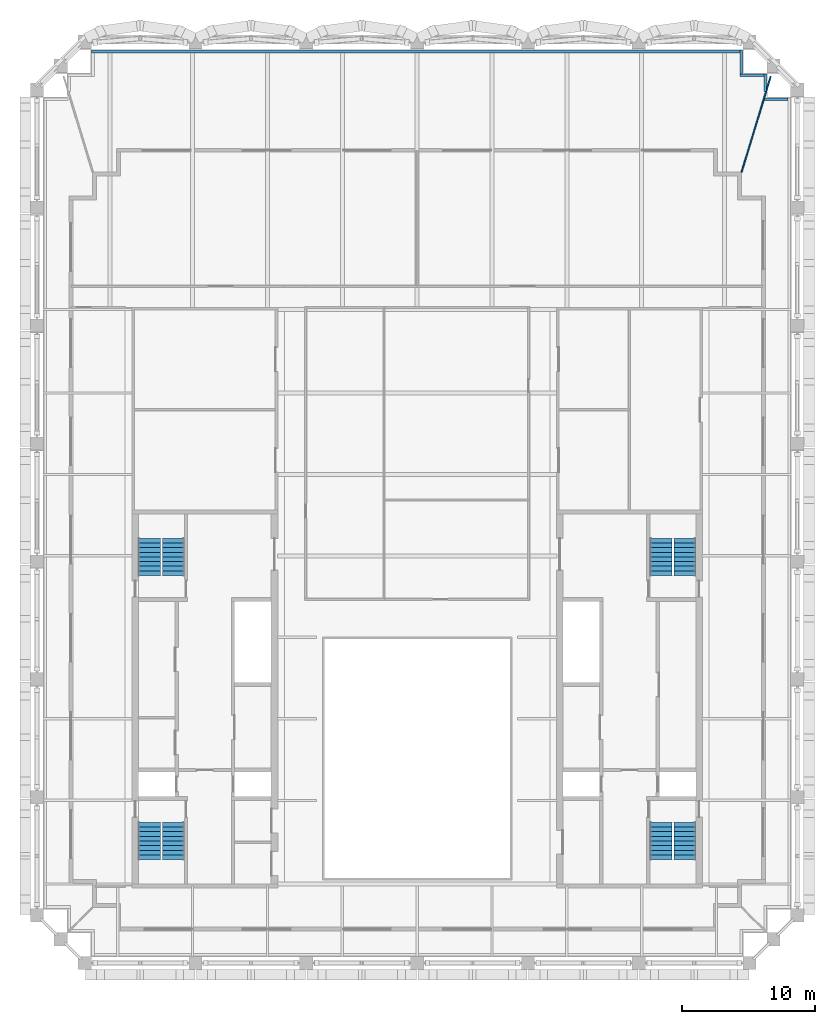
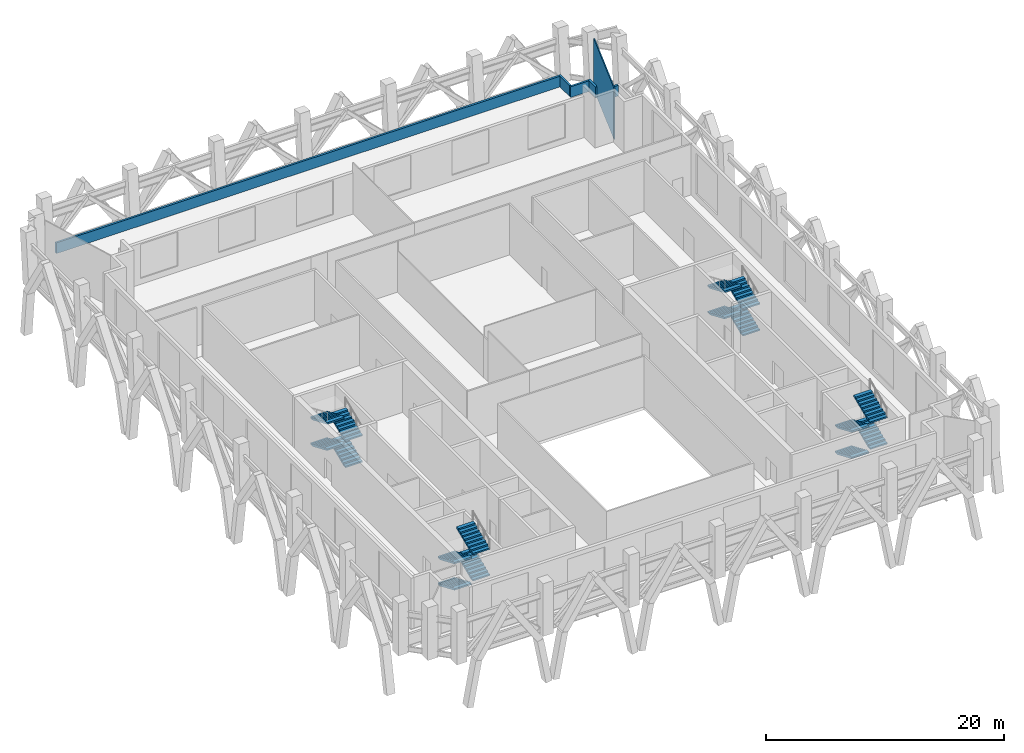
# One storey, part 8 of 13: 16 stair flights, 6 walls, 4 elements without a shape of their own.
"""IFC4 building model written with IfcOpenShell, lengths in metres."""

from ifc_helpers import new_model, si_unit, direction, frame, frame_2d, origin, place, context, subcontext, project, spatial, polyline, rectangle, outline, extrude, material, layer, layer_set, type_object, element, aggregate, save


model = new_model("IFC4")

# Units and contexts
model_context = context("Model", 3, precision=1e-05, world=origin(), true_north=direction((0.0, 1.0)))
body_context = subcontext(model_context, "Body", "Model", "MODEL_VIEW")
ifc_project = project(units=[si_unit("LENGTHUNIT", "METRE"), si_unit("AREAUNIT", "SQUARE_METRE"), si_unit("VOLUMEUNIT", "CUBIC_METRE"), si_unit("PLANEANGLEUNIT", "RADIAN"), si_unit("MASSUNIT", "GRAM", prefix="KILO")], contexts=[model_context])

# Site, building, storey
site_placement = place(None, origin())
site = spatial("IfcSite", under=ifc_project, at=site_placement, CompositionType="ELEMENT")
building_placement = place(site_placement, origin())
building = spatial("IfcBuilding", under=site, at=building_placement, Name="Ogive Exchange Tower", CompositionType="ELEMENT")
storey_placement = place(building_placement, frame((0.0, 0.0, 363.60009765625)))
storey = spatial("IfcBuildingStorey", under=building, at=storey_placement, Name="L80", CompositionType="ELEMENT", Elevation=363.60009765625)

# Walls
ifc_material_1 = material(Name="Laminated safety glass in steel frame", Category="steel")
ifc_layer_1 = layer(ifc_material_1, 0.10009765625)
ifc_layer_set_1 = layer_set([ifc_layer_1], Name="Loggia end screen 100")
wall_type_1 = type_object("IfcWallType", Name="Loggia end screen 100", PredefinedType="STANDARD", material=ifc_layer_set_1)
wall_1_placement = place(storey_placement, frame((24.449951171875, 51.199951171875, -0.050048828125), z_axis=(0.0, 0.0, 1.0), x_axis=(0.290383107351, 0.956910471761, 0.0)))
element("IfcWall", 1, at=wall_1_placement, inside=storey, type_object=wall_type_1, Name="Loggia end screen C2", PredefinedType="STANDARD", context=body_context, shape_type="SweptSolid", body=[
    extrude(rectangle(XDim=7.5380859375, YDim=0.10009765625, at=frame_2d((3.76904296875, 0.0))), origin(), (0.0, 0.0, 1.0), 5.25),
])
ifc_material_2 = material(Name="Precast concrete C40/50", Category="concrete")
ifc_layer_2 = layer(ifc_material_2, 0.199951171875)
ifc_layer_set_2 = layer_set([ifc_layer_2], Name="Plant deck parapet 200")
wall_type_2 = type_object("IfcWallType", Name="Plant deck parapet 200", PredefinedType="STANDARD", material=ifc_layer_set_2)
wall_2_placement = place(storey_placement, frame((27.929931640625, 56.689208984375, -0.050048828125), z_axis=(0.0, 0.0, 1.0), x_axis=(-1.0, 0.0, 0.0)))
element("IfcWall", 2, at=wall_2_placement, inside=storey, type_object=wall_type_2, Name="Plant deck parapet 7", PredefinedType="STANDARD", context=body_context, shape_type="SweptSolid", body=[
    extrude(rectangle(XDim=1.746337890625, YDim=0.199951171875, at=frame_2d((0.873046875, 0.0))), origin(), (0.0, 0.0, 1.0), 1.099853515625),
])
wall_3_placement = place(storey_placement, frame((26.22998046875, 57.289794921875, -0.050048828125), z_axis=(0.0, 0.0, 1.0), x_axis=(0.0, 1.0, 0.0)))
element("IfcWall", 3, at=wall_3_placement, inside=storey, type_object=wall_type_2, Name="Plant deck parapet 8", PredefinedType="STANDARD", context=body_context, shape_type="SweptSolid", body=[
    extrude(rectangle(XDim=1.29931640625, YDim=0.199951171875, at=frame_2d((0.649658203125, 0.0))), origin(), (0.0, 0.0, 1.0), 1.099853515625),
])
wall_4_placement = place(storey_placement, frame((26.1298828125, 58.489013671875, -0.050048828125), z_axis=(0.0, 0.0, 1.0), x_axis=(-1.0, 0.0, 0.0)))
element("IfcWall", 4, at=wall_4_placement, inside=storey, type_object=wall_type_2, Name="Plant deck parapet 9", PredefinedType="STANDARD", context=body_context, shape_type="SweptSolid", body=[
    extrude(rectangle(XDim=1.7998046875, YDim=0.199951171875, at=frame_2d((0.89990234375, 0.0))), origin(), (0.0, 0.0, 1.0), 1.099853515625),
])
wall_5_placement = place(storey_placement, frame((24.429931640625, 58.589111328125, -0.050048828125), z_axis=(0.0, 0.0, 1.0), x_axis=(0.0, 1.0, 0.0)))
element("IfcWall", 5, at=wall_5_placement, inside=storey, type_object=wall_type_2, Name="Plant deck parapet 10", PredefinedType="STANDARD", context=body_context, shape_type="SweptSolid", body=[
    extrude(rectangle(XDim=1.800048828125, YDim=0.199951171875, at=frame_2d((0.89990234375, 0.0))), origin(), (0.0, 0.0, 1.0), 1.099853515625),
])
wall_6_placement = place(storey_placement, frame((24.330078125, 60.2890625, -0.050048828125), z_axis=(0.0, 0.0, 1.0), x_axis=(-1.0, 0.0, 0.0)))
element("IfcWall", 6, at=wall_6_placement, inside=storey, type_object=wall_type_2, Name="Plant deck parapet 11", PredefinedType="STANDARD", context=body_context, shape_type="SweptSolid", body=[
    extrude(rectangle(XDim=48.860107421875, YDim=0.199951171875, at=frame_2d((24.43017578125, 0.0))), origin(), (0.0, 0.0, 1.0), 1.099853515625),
])

# Stair, stair flights
ifc_material_3 = material(Name="Concrete C40/50", Category="concrete")
stair_type = type_object("IfcStairType", Name="Exit stair 1650 wide", PredefinedType="HALF_TURN_STAIR", material=ifc_material_3)
stair_1_placement = place(storey_placement, origin())
stair_1 = element("IfcStair", 7, at=stair_1_placement, inside=storey, type_object=stair_type, Name="L80 exit stair ST1", PredefinedType="HALF_TURN_STAIR")
stair_flight_type = type_object("IfcStairFlightType", Name="Stair flight 1650 wide", PredefinedType="STRAIGHT", material=ifc_material_3)
stair_flight_1_placement = place(storey_placement, frame((-20.175048828125, 2.199951171875, 0.0), z_axis=(0.0, 0.0, 1.0), x_axis=(0.0, -1.0, 0.0)))
stair_flight_1 = element("IfcStairFlight", 8, at=stair_flight_1_placement, type_object=stair_flight_type, Name="ST1 flight 1", NumberOfRisers=9, NumberOfTreads=8, PredefinedType="STRAIGHT", RiserHeight=0.15, TreadLength=0.351, context=body_context, shape_type="SweptSolid", body=[
    extrude(outline(polyline([(0.0, 0.0), (0.0, 0.14990234375), (0.35107421875, 0.14990234375), (0.35107421875, 0.300048828125), (0.701904296875, 0.300048828125), (0.701904296875, 0.449951171875), (1.052978515625, 0.449951171875), (1.052978515625, 0.60009765625), (1.404052734375, 0.60009765625), (1.404052734375, 0.75), (1.7548828125, 0.75), (1.7548828125, 0.89990234375), (2.10595703125, 0.89990234375), (2.10595703125, 1.050048828125), (2.45703125, 1.050048828125), (2.45703125, 1.199951171875), (2.80810546875, 1.199951171875), (2.80810546875, 1.35009765625), (2.80810546875, 1.036865234375), (0.38134765625, 0.0), (0.0, 0.0)])), frame((0.0, 0.824951171875, 0.0), z_axis=(0.0, -1.0, 0.0), x_axis=(1.0, 0.0, 0.0)), (0.0, 0.0, 1.0), 1.64990234375),
])
stair_flight_2_placement = place(storey_placement, frame((-18.375, -0.60791015625, 1.349853515625), z_axis=(0.0, 0.0, 1.0), x_axis=(0.0, 1.0, 0.0)))
stair_flight_2 = element("IfcStairFlight", 9, at=stair_flight_2_placement, type_object=stair_flight_type, Name="ST1 flight 2", NumberOfRisers=9, NumberOfTreads=8, PredefinedType="STRAIGHT", RiserHeight=0.15, TreadLength=0.351, context=body_context, shape_type="SweptSolid", body=[
    extrude(outline(polyline([(0.0, 0.0), (0.0, 0.14990234375), (0.35107421875, 0.14990234375), (0.35107421875, 0.300048828125), (0.701904296875, 0.300048828125), (0.701904296875, 0.449951171875), (1.052978515625, 0.449951171875), (1.052978515625, 0.60009765625), (1.404052734375, 0.60009765625), (1.404052734375, 0.75), (1.7548828125, 0.75), (1.7548828125, 0.89990234375), (2.10595703125, 0.89990234375), (2.10595703125, 1.050048828125), (2.45703125, 1.050048828125), (2.45703125, 1.199951171875), (2.80810546875, 1.199951171875), (2.80810546875, 1.35009765625), (2.80810546875, 1.036865234375), (0.38134765625, 0.0), (0.0, 0.0)])), frame((0.0, 0.824951171875, 0.0), z_axis=(0.0, -1.0, 0.0), x_axis=(1.0, 0.0, 0.0)), (0.0, 0.0, 1.0), 1.64990234375),
])
stair_flight_3_placement = place(storey_placement, frame((-20.175048828125, 2.199951171875, 2.699951171875), z_axis=(0.0, 0.0, 1.0), x_axis=(0.0, -1.0, 0.0)))
stair_flight_3 = element("IfcStairFlight", 10, at=stair_flight_3_placement, type_object=stair_flight_type, Name="ST1 flight 3", NumberOfRisers=9, NumberOfTreads=8, PredefinedType="STRAIGHT", RiserHeight=0.15, TreadLength=0.351, context=body_context, shape_type="SweptSolid", body=[
    extrude(outline(polyline([(0.0, 0.0), (0.0, 0.14990234375), (0.35107421875, 0.14990234375), (0.35107421875, 0.300048828125), (0.701904296875, 0.300048828125), (0.701904296875, 0.449951171875), (1.052978515625, 0.449951171875), (1.052978515625, 0.60009765625), (1.404052734375, 0.60009765625), (1.404052734375, 0.75), (1.7548828125, 0.75), (1.7548828125, 0.89990234375), (2.10595703125, 0.89990234375), (2.10595703125, 1.050048828125), (2.45703125, 1.050048828125), (2.45703125, 1.199951171875), (2.80810546875, 1.199951171875), (2.80810546875, 1.35009765625), (2.80810546875, 1.036865234375), (0.38134765625, 0.0), (0.0, 0.0)])), frame((0.0, 0.824951171875, 0.0), z_axis=(0.0, -1.0, 0.0), x_axis=(1.0, 0.0, 0.0)), (0.0, 0.0, 1.0), 1.64990234375),
])
stair_flight_4_placement = place(storey_placement, frame((-18.375, -0.60791015625, 4.0498046875), z_axis=(0.0, 0.0, 1.0), x_axis=(0.0, 1.0, 0.0)))
stair_flight_4 = element("IfcStairFlight", 11, at=stair_flight_4_placement, type_object=stair_flight_type, Name="ST1 flight 4", NumberOfRisers=9, NumberOfTreads=8, PredefinedType="STRAIGHT", RiserHeight=0.15, TreadLength=0.351, context=body_context, shape_type="SweptSolid", body=[
    extrude(outline(polyline([(0.0, 0.0), (0.0, 0.14990234375), (0.35107421875, 0.14990234375), (0.35107421875, 0.300048828125), (0.701904296875, 0.300048828125), (0.701904296875, 0.449951171875), (1.052978515625, 0.449951171875), (1.052978515625, 0.60009765625), (1.404052734375, 0.60009765625), (1.404052734375, 0.75), (1.7548828125, 0.75), (1.7548828125, 0.89990234375), (2.10595703125, 0.89990234375), (2.10595703125, 1.050048828125), (2.45703125, 1.050048828125), (2.45703125, 1.199951171875), (2.80810546875, 1.199951171875), (2.80810546875, 1.35009765625), (2.80810546875, 1.036865234375), (0.38134765625, 0.0), (0.0, 0.0)])), frame((0.0, 0.824951171875, 0.0), z_axis=(0.0, -1.0, 0.0), x_axis=(1.0, 0.0, 0.0)), (0.0, 0.0, 1.0), 1.64990234375),
])
aggregate(stair_1, [stair_flight_1, stair_flight_2, stair_flight_3, stair_flight_4])

stair_2_placement = place(storey_placement, origin())
stair_2 = element("IfcStair", 12, at=stair_2_placement, inside=storey, type_object=stair_type, Name="L80 exit stair ST2", PredefinedType="HALF_TURN_STAIR")
stair_flight_5_placement = place(storey_placement, frame((-18.375, 20.800048828125, 0.0), z_axis=(0.0, 0.0, 1.0), x_axis=(0.0, 1.0, 0.0)))
stair_flight_5 = element("IfcStairFlight", 13, at=stair_flight_5_placement, type_object=stair_flight_type, Name="ST2 flight 1", NumberOfRisers=9, NumberOfTreads=8, PredefinedType="STRAIGHT", RiserHeight=0.15, TreadLength=0.351, context=body_context, shape_type="SweptSolid", body=[
    extrude(outline(polyline([(0.0, 0.0), (0.0, 0.14990234375), (0.35107421875, 0.14990234375), (0.35107421875, 0.300048828125), (0.701904296875, 0.300048828125), (0.701904296875, 0.449951171875), (1.052978515625, 0.449951171875), (1.052978515625, 0.60009765625), (1.404052734375, 0.60009765625), (1.404052734375, 0.75), (1.7548828125, 0.75), (1.7548828125, 0.89990234375), (2.10595703125, 0.89990234375), (2.10595703125, 1.050048828125), (2.45703125, 1.050048828125), (2.45703125, 1.199951171875), (2.80810546875, 1.199951171875), (2.80810546875, 1.35009765625), (2.80810546875, 1.036865234375), (0.38134765625, 0.0), (0.0, 0.0)])), frame((0.0, 0.824951171875, 0.0), z_axis=(0.0, -1.0, 0.0), x_axis=(1.0, 0.0, 0.0)), (0.0, 0.0, 1.0), 1.64990234375),
])
stair_flight_6_placement = place(storey_placement, frame((-20.175048828125, 23.60791015625, 1.349853515625), z_axis=(0.0, 0.0, 1.0), x_axis=(0.0, -1.0, 0.0)))
stair_flight_6 = element("IfcStairFlight", 14, at=stair_flight_6_placement, type_object=stair_flight_type, Name="ST2 flight 2", NumberOfRisers=9, NumberOfTreads=8, PredefinedType="STRAIGHT", RiserHeight=0.15, TreadLength=0.351, context=body_context, shape_type="SweptSolid", body=[
    extrude(outline(polyline([(0.0, 0.0), (0.0, 0.14990234375), (0.35107421875, 0.14990234375), (0.35107421875, 0.300048828125), (0.701904296875, 0.300048828125), (0.701904296875, 0.449951171875), (1.052978515625, 0.449951171875), (1.052978515625, 0.60009765625), (1.404052734375, 0.60009765625), (1.404052734375, 0.75), (1.7548828125, 0.75), (1.7548828125, 0.89990234375), (2.10595703125, 0.89990234375), (2.10595703125, 1.050048828125), (2.45703125, 1.050048828125), (2.45703125, 1.199951171875), (2.80810546875, 1.199951171875), (2.80810546875, 1.35009765625), (2.80810546875, 1.036865234375), (0.38134765625, 0.0), (0.0, 0.0)])), frame((0.0, 0.824951171875, 0.0), z_axis=(0.0, -1.0, 0.0), x_axis=(1.0, 0.0, 0.0)), (0.0, 0.0, 1.0), 1.64990234375),
])
stair_flight_7_placement = place(storey_placement, frame((-18.375, 20.800048828125, 2.699951171875), z_axis=(0.0, 0.0, 1.0), x_axis=(0.0, 1.0, 0.0)))
stair_flight_7 = element("IfcStairFlight", 15, at=stair_flight_7_placement, type_object=stair_flight_type, Name="ST2 flight 3", NumberOfRisers=9, NumberOfTreads=8, PredefinedType="STRAIGHT", RiserHeight=0.15, TreadLength=0.351, context=body_context, shape_type="SweptSolid", body=[
    extrude(outline(polyline([(0.0, 0.0), (0.0, 0.14990234375), (0.35107421875, 0.14990234375), (0.35107421875, 0.300048828125), (0.701904296875, 0.300048828125), (0.701904296875, 0.449951171875), (1.052978515625, 0.449951171875), (1.052978515625, 0.60009765625), (1.404052734375, 0.60009765625), (1.404052734375, 0.75), (1.7548828125, 0.75), (1.7548828125, 0.89990234375), (2.10595703125, 0.89990234375), (2.10595703125, 1.050048828125), (2.45703125, 1.050048828125), (2.45703125, 1.199951171875), (2.80810546875, 1.199951171875), (2.80810546875, 1.35009765625), (2.80810546875, 1.036865234375), (0.38134765625, 0.0), (0.0, 0.0)])), frame((0.0, 0.824951171875, 0.0), z_axis=(0.0, -1.0, 0.0), x_axis=(1.0, 0.0, 0.0)), (0.0, 0.0, 1.0), 1.64990234375),
])
stair_flight_8_placement = place(storey_placement, frame((-20.175048828125, 23.60791015625, 4.0498046875), z_axis=(0.0, 0.0, 1.0), x_axis=(0.0, -1.0, 0.0)))
stair_flight_8 = element("IfcStairFlight", 16, at=stair_flight_8_placement, type_object=stair_flight_type, Name="ST2 flight 4", NumberOfRisers=9, NumberOfTreads=8, PredefinedType="STRAIGHT", RiserHeight=0.15, TreadLength=0.351, context=body_context, shape_type="SweptSolid", body=[
    extrude(outline(polyline([(0.0, 0.0), (0.0, 0.14990234375), (0.35107421875, 0.14990234375), (0.35107421875, 0.300048828125), (0.701904296875, 0.300048828125), (0.701904296875, 0.449951171875), (1.052978515625, 0.449951171875), (1.052978515625, 0.60009765625), (1.404052734375, 0.60009765625), (1.404052734375, 0.75), (1.7548828125, 0.75), (1.7548828125, 0.89990234375), (2.10595703125, 0.89990234375), (2.10595703125, 1.050048828125), (2.45703125, 1.050048828125), (2.45703125, 1.199951171875), (2.80810546875, 1.199951171875), (2.80810546875, 1.35009765625), (2.80810546875, 1.036865234375), (0.38134765625, 0.0), (0.0, 0.0)])), frame((0.0, 0.824951171875, 0.0), z_axis=(0.0, -1.0, 0.0), x_axis=(1.0, 0.0, 0.0)), (0.0, 0.0, 1.0), 1.64990234375),
])
aggregate(stair_2, [stair_flight_5, stair_flight_6, stair_flight_7, stair_flight_8])

stair_3_placement = place(storey_placement, origin())
stair_3 = element("IfcStair", 17, at=stair_3_placement, inside=storey, type_object=stair_type, Name="L80 exit stair ST3", PredefinedType="HALF_TURN_STAIR")
stair_flight_9_placement = place(storey_placement, frame((18.375, 2.199951171875, 0.0), z_axis=(0.0, 0.0, 1.0), x_axis=(0.0, -1.0, 0.0)))
stair_flight_9 = element("IfcStairFlight", 18, at=stair_flight_9_placement, type_object=stair_flight_type, Name="ST3 flight 1", NumberOfRisers=9, NumberOfTreads=8, PredefinedType="STRAIGHT", RiserHeight=0.15, TreadLength=0.351, context=body_context, shape_type="SweptSolid", body=[
    extrude(outline(polyline([(0.0, 0.0), (0.0, 0.14990234375), (0.35107421875, 0.14990234375), (0.35107421875, 0.300048828125), (0.701904296875, 0.300048828125), (0.701904296875, 0.449951171875), (1.052978515625, 0.449951171875), (1.052978515625, 0.60009765625), (1.404052734375, 0.60009765625), (1.404052734375, 0.75), (1.7548828125, 0.75), (1.7548828125, 0.89990234375), (2.10595703125, 0.89990234375), (2.10595703125, 1.050048828125), (2.45703125, 1.050048828125), (2.45703125, 1.199951171875), (2.80810546875, 1.199951171875), (2.80810546875, 1.35009765625), (2.80810546875, 1.036865234375), (0.38134765625, 0.0), (0.0, 0.0)])), frame((0.0, 0.824951171875, 0.0), z_axis=(0.0, -1.0, 0.0), x_axis=(1.0, 0.0, 0.0)), (0.0, 0.0, 1.0), 1.64990234375),
])
stair_flight_10_placement = place(storey_placement, frame((20.175048828125, -0.60791015625, 1.349853515625), z_axis=(0.0, 0.0, 1.0), x_axis=(0.0, 1.0, 0.0)))
stair_flight_10 = element("IfcStairFlight", 19, at=stair_flight_10_placement, type_object=stair_flight_type, Name="ST3 flight 2", NumberOfRisers=9, NumberOfTreads=8, PredefinedType="STRAIGHT", RiserHeight=0.15, TreadLength=0.351, context=body_context, shape_type="SweptSolid", body=[
    extrude(outline(polyline([(0.0, 0.0), (0.0, 0.14990234375), (0.35107421875, 0.14990234375), (0.35107421875, 0.300048828125), (0.701904296875, 0.300048828125), (0.701904296875, 0.449951171875), (1.052978515625, 0.449951171875), (1.052978515625, 0.60009765625), (1.404052734375, 0.60009765625), (1.404052734375, 0.75), (1.7548828125, 0.75), (1.7548828125, 0.89990234375), (2.10595703125, 0.89990234375), (2.10595703125, 1.050048828125), (2.45703125, 1.050048828125), (2.45703125, 1.199951171875), (2.80810546875, 1.199951171875), (2.80810546875, 1.35009765625), (2.80810546875, 1.036865234375), (0.38134765625, 0.0), (0.0, 0.0)])), frame((0.0, 0.824951171875, 0.0), z_axis=(0.0, -1.0, 0.0), x_axis=(1.0, 0.0, 0.0)), (0.0, 0.0, 1.0), 1.64990234375),
])
stair_flight_11_placement = place(storey_placement, frame((18.375, 2.199951171875, 2.699951171875), z_axis=(0.0, 0.0, 1.0), x_axis=(0.0, -1.0, 0.0)))
stair_flight_11 = element("IfcStairFlight", 20, at=stair_flight_11_placement, type_object=stair_flight_type, Name="ST3 flight 3", NumberOfRisers=9, NumberOfTreads=8, PredefinedType="STRAIGHT", RiserHeight=0.15, TreadLength=0.351, context=body_context, shape_type="SweptSolid", body=[
    extrude(outline(polyline([(0.0, 0.0), (0.0, 0.14990234375), (0.35107421875, 0.14990234375), (0.35107421875, 0.300048828125), (0.701904296875, 0.300048828125), (0.701904296875, 0.449951171875), (1.052978515625, 0.449951171875), (1.052978515625, 0.60009765625), (1.404052734375, 0.60009765625), (1.404052734375, 0.75), (1.7548828125, 0.75), (1.7548828125, 0.89990234375), (2.10595703125, 0.89990234375), (2.10595703125, 1.050048828125), (2.45703125, 1.050048828125), (2.45703125, 1.199951171875), (2.80810546875, 1.199951171875), (2.80810546875, 1.35009765625), (2.80810546875, 1.036865234375), (0.38134765625, 0.0), (0.0, 0.0)])), frame((0.0, 0.824951171875, 0.0), z_axis=(0.0, -1.0, 0.0), x_axis=(1.0, 0.0, 0.0)), (0.0, 0.0, 1.0), 1.64990234375),
])
stair_flight_12_placement = place(storey_placement, frame((20.175048828125, -0.60791015625, 4.0498046875), z_axis=(0.0, 0.0, 1.0), x_axis=(0.0, 1.0, 0.0)))
stair_flight_12 = element("IfcStairFlight", 21, at=stair_flight_12_placement, type_object=stair_flight_type, Name="ST3 flight 4", NumberOfRisers=9, NumberOfTreads=8, PredefinedType="STRAIGHT", RiserHeight=0.15, TreadLength=0.351, context=body_context, shape_type="SweptSolid", body=[
    extrude(outline(polyline([(0.0, 0.0), (0.0, 0.14990234375), (0.35107421875, 0.14990234375), (0.35107421875, 0.300048828125), (0.701904296875, 0.300048828125), (0.701904296875, 0.449951171875), (1.052978515625, 0.449951171875), (1.052978515625, 0.60009765625), (1.404052734375, 0.60009765625), (1.404052734375, 0.75), (1.7548828125, 0.75), (1.7548828125, 0.89990234375), (2.10595703125, 0.89990234375), (2.10595703125, 1.050048828125), (2.45703125, 1.050048828125), (2.45703125, 1.199951171875), (2.80810546875, 1.199951171875), (2.80810546875, 1.35009765625), (2.80810546875, 1.036865234375), (0.38134765625, 0.0), (0.0, 0.0)])), frame((0.0, 0.824951171875, 0.0), z_axis=(0.0, -1.0, 0.0), x_axis=(1.0, 0.0, 0.0)), (0.0, 0.0, 1.0), 1.64990234375),
])
aggregate(stair_3, [stair_flight_9, stair_flight_10, stair_flight_11, stair_flight_12])

stair_4_placement = place(storey_placement, origin())
stair_4 = element("IfcStair", 22, at=stair_4_placement, inside=storey, type_object=stair_type, Name="L80 exit stair ST4", PredefinedType="HALF_TURN_STAIR")
stair_flight_13_placement = place(storey_placement, frame((20.175048828125, 20.800048828125, 0.0), z_axis=(0.0, 0.0, 1.0), x_axis=(0.0, 1.0, 0.0)))
stair_flight_13 = element("IfcStairFlight", 23, at=stair_flight_13_placement, type_object=stair_flight_type, Name="ST4 flight 1", NumberOfRisers=9, NumberOfTreads=8, PredefinedType="STRAIGHT", RiserHeight=0.15, TreadLength=0.351, context=body_context, shape_type="SweptSolid", body=[
    extrude(outline(polyline([(0.0, 0.0), (0.0, 0.14990234375), (0.35107421875, 0.14990234375), (0.35107421875, 0.300048828125), (0.701904296875, 0.300048828125), (0.701904296875, 0.449951171875), (1.052978515625, 0.449951171875), (1.052978515625, 0.60009765625), (1.404052734375, 0.60009765625), (1.404052734375, 0.75), (1.7548828125, 0.75), (1.7548828125, 0.89990234375), (2.10595703125, 0.89990234375), (2.10595703125, 1.050048828125), (2.45703125, 1.050048828125), (2.45703125, 1.199951171875), (2.80810546875, 1.199951171875), (2.80810546875, 1.35009765625), (2.80810546875, 1.036865234375), (0.38134765625, 0.0), (0.0, 0.0)])), frame((0.0, 0.824951171875, 0.0), z_axis=(0.0, -1.0, 0.0), x_axis=(1.0, 0.0, 0.0)), (0.0, 0.0, 1.0), 1.64990234375),
])
stair_flight_14_placement = place(storey_placement, frame((18.375, 23.60791015625, 1.349853515625), z_axis=(0.0, 0.0, 1.0), x_axis=(0.0, -1.0, 0.0)))
stair_flight_14 = element("IfcStairFlight", 24, at=stair_flight_14_placement, type_object=stair_flight_type, Name="ST4 flight 2", NumberOfRisers=9, NumberOfTreads=8, PredefinedType="STRAIGHT", RiserHeight=0.15, TreadLength=0.351, context=body_context, shape_type="SweptSolid", body=[
    extrude(outline(polyline([(0.0, 0.0), (0.0, 0.14990234375), (0.35107421875, 0.14990234375), (0.35107421875, 0.300048828125), (0.701904296875, 0.300048828125), (0.701904296875, 0.449951171875), (1.052978515625, 0.449951171875), (1.052978515625, 0.60009765625), (1.404052734375, 0.60009765625), (1.404052734375, 0.75), (1.7548828125, 0.75), (1.7548828125, 0.89990234375), (2.10595703125, 0.89990234375), (2.10595703125, 1.050048828125), (2.45703125, 1.050048828125), (2.45703125, 1.199951171875), (2.80810546875, 1.199951171875), (2.80810546875, 1.35009765625), (2.80810546875, 1.036865234375), (0.38134765625, 0.0), (0.0, 0.0)])), frame((0.0, 0.824951171875, 0.0), z_axis=(0.0, -1.0, 0.0), x_axis=(1.0, 0.0, 0.0)), (0.0, 0.0, 1.0), 1.64990234375),
])
stair_flight_15_placement = place(storey_placement, frame((20.175048828125, 20.800048828125, 2.699951171875), z_axis=(0.0, 0.0, 1.0), x_axis=(0.0, 1.0, 0.0)))
stair_flight_15 = element("IfcStairFlight", 25, at=stair_flight_15_placement, type_object=stair_flight_type, Name="ST4 flight 3", NumberOfRisers=9, NumberOfTreads=8, PredefinedType="STRAIGHT", RiserHeight=0.15, TreadLength=0.351, context=body_context, shape_type="SweptSolid", body=[
    extrude(outline(polyline([(0.0, 0.0), (0.0, 0.14990234375), (0.35107421875, 0.14990234375), (0.35107421875, 0.300048828125), (0.701904296875, 0.300048828125), (0.701904296875, 0.449951171875), (1.052978515625, 0.449951171875), (1.052978515625, 0.60009765625), (1.404052734375, 0.60009765625), (1.404052734375, 0.75), (1.7548828125, 0.75), (1.7548828125, 0.89990234375), (2.10595703125, 0.89990234375), (2.10595703125, 1.050048828125), (2.45703125, 1.050048828125), (2.45703125, 1.199951171875), (2.80810546875, 1.199951171875), (2.80810546875, 1.35009765625), (2.80810546875, 1.036865234375), (0.38134765625, 0.0), (0.0, 0.0)])), frame((0.0, 0.824951171875, 0.0), z_axis=(0.0, -1.0, 0.0), x_axis=(1.0, 0.0, 0.0)), (0.0, 0.0, 1.0), 1.64990234375),
])
stair_flight_16_placement = place(storey_placement, frame((18.375, 23.60791015625, 4.0498046875), z_axis=(0.0, 0.0, 1.0), x_axis=(0.0, -1.0, 0.0)))
stair_flight_16 = element("IfcStairFlight", 26, at=stair_flight_16_placement, type_object=stair_flight_type, Name="ST4 flight 4", NumberOfRisers=9, NumberOfTreads=8, PredefinedType="STRAIGHT", RiserHeight=0.15, TreadLength=0.351, context=body_context, shape_type="SweptSolid", body=[
    extrude(outline(polyline([(0.0, 0.0), (0.0, 0.14990234375), (0.35107421875, 0.14990234375), (0.35107421875, 0.300048828125), (0.701904296875, 0.300048828125), (0.701904296875, 0.449951171875), (1.052978515625, 0.449951171875), (1.052978515625, 0.60009765625), (1.404052734375, 0.60009765625), (1.404052734375, 0.75), (1.7548828125, 0.75), (1.7548828125, 0.89990234375), (2.10595703125, 0.89990234375), (2.10595703125, 1.050048828125), (2.45703125, 1.050048828125), (2.45703125, 1.199951171875), (2.80810546875, 1.199951171875), (2.80810546875, 1.35009765625), (2.80810546875, 1.036865234375), (0.38134765625, 0.0), (0.0, 0.0)])), frame((0.0, 0.824951171875, 0.0), z_axis=(0.0, -1.0, 0.0), x_axis=(1.0, 0.0, 0.0)), (0.0, 0.0, 1.0), 1.64990234375),
])
aggregate(stair_4, [stair_flight_13, stair_flight_14, stair_flight_15, stair_flight_16])

save(model, "model.ifc")
